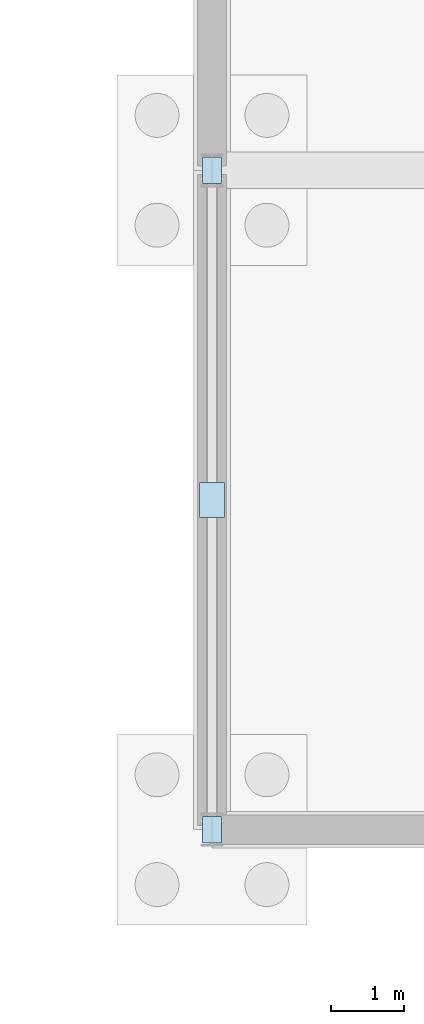
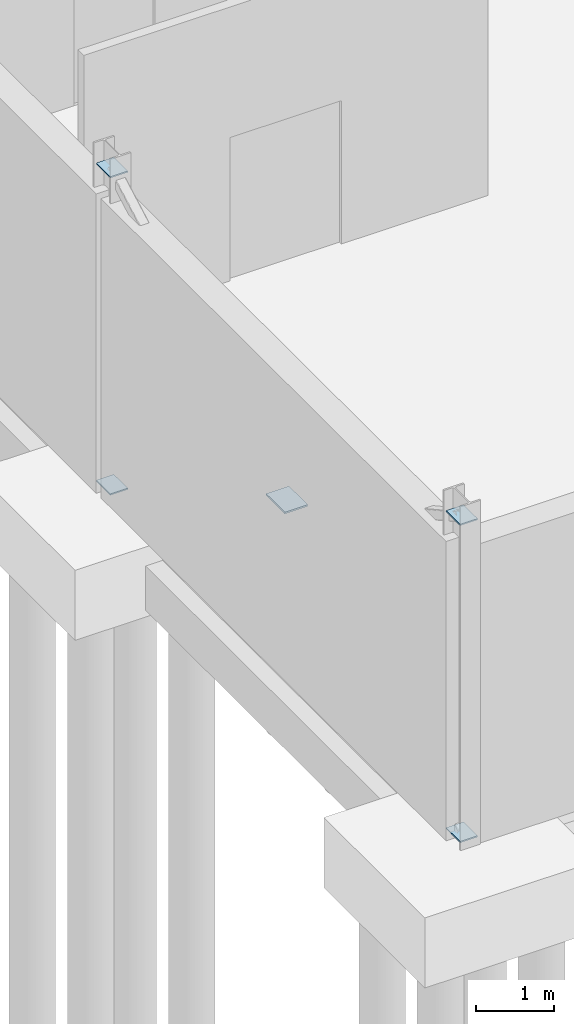
# One storey, part 79 of 118: 5 plates.
"""IFC4 building model written with IfcOpenShell, lengths in metres."""

from ifc_helpers import new_model, si_unit, direction, frame, origin, origin_2d, place, context, subcontext, project, spatial, rectangle, extrude, material, layer, layer_set, type_object, element, save


model = new_model("IFC4")

# Units and contexts
model_context = context("Model", 3, precision=1e-05, world=origin(), true_north=direction((0.0, 1.0)))
body_context = subcontext(model_context, "Body", "Model", "MODEL_VIEW")
ifc_project = project(units=[si_unit("LENGTHUNIT", "METRE"), si_unit("AREAUNIT", "SQUARE_METRE"), si_unit("VOLUMEUNIT", "CUBIC_METRE"), si_unit("PLANEANGLEUNIT", "RADIAN"), si_unit("MASSUNIT", "GRAM", prefix="KILO")], contexts=[model_context])

# Site, building, storey
site_placement = place(None, origin())
site = spatial("IfcSite", under=ifc_project, at=site_placement, CompositionType="ELEMENT")
building_placement = place(site_placement, origin())
building = spatial("IfcBuilding", under=site, at=building_placement, Name="Kildeholm Park Wholesale Market", CompositionType="ELEMENT")
storey_placement = place(building_placement, origin())
storey = spatial("IfcBuildingStorey", under=building, at=storey_placement, Name="L00", CompositionType="ELEMENT", Elevation=0.0)

# Plates
ifc_material = material(Name="Steel S355", Category="steel")
ifc_layer_1 = layer(ifc_material, 0.02001953125)
ifc_layer_set_1 = layer_set([ifc_layer_1], Name="Steel S355")
plate_type_1 = type_object("IfcPlateType", Name="Steel connection plate EP-01 360x260x20", PredefinedType="SHEET", material=ifc_layer_set_1)
for number, where, z_axis, x_axis, name in (
    (1, (9.0, 0.0, 0.090087890625), (0.0, 0.0, 1.0), (0.0, 1.0, 0.0), "Brace end connection plate BR-V5W-L00-1 PLT-0143"),
    (2, (9.0, 9.0, 5.070068359375), (0.0, 0.0, 1.0), (0.0, 1.0, 0.0), "Brace end connection plate BR-V5W-L00-2 PLT-0144"),
    (3, (9.0, 9.0, 0.090087890625), (0.0, 0.0, 1.0), (0.0, 1.0, 0.0), "Brace end connection plate BR-V5W-L00-3 PLT-0145"),
    (4, (9.0, 0.0, 5.070068359375), (0.0, 0.0, 1.0), (0.0, 1.0, 0.0), "Brace end connection plate BR-V5W-L00-4 PLT-0146"),
):
    element("IfcPlate", number, at=place(storey_placement, frame(where, z_axis=z_axis, x_axis=x_axis)), inside=storey, type_object=plate_type_1, Name=name, PredefinedType="SHEET", context=body_context, shape_type="SweptSolid", body=[
        extrude(rectangle(XDim=0.360107421875, YDim=0.260009765625, at=origin_2d()), origin(), (0.0, 0.0, 1.0), 0.02001953125),
    ])
ifc_layer_2 = layer(ifc_material, 0.02587890625)
ifc_layer_set_2 = layer_set([ifc_layer_2], Name="Steel S355")
plate_type_2 = type_object("IfcPlateType", Name="Steel connection plate GP-02 480x340x26", PredefinedType="SHEET", material=ifc_layer_set_2)
plate_placement = place(storey_placement, frame((9.0, 4.5, 2.5771484375), z_axis=(0.0, 0.0, 1.0), x_axis=(0.0, 1.0, 0.0)))
element("IfcPlate", 5, at=plate_placement, inside=storey, type_object=plate_type_2, Name="X-brace crossing gusset plate BR-V5W-L00 PLT-0142", PredefinedType="SHEET", context=body_context, shape_type="SweptSolid", body=[
    extrude(rectangle(XDim=0.47998046875, YDim=0.340087890625, at=origin_2d()), origin(), (0.0, 0.0, 1.0), 0.02587890625),
])

save(model, "model.ifc")
